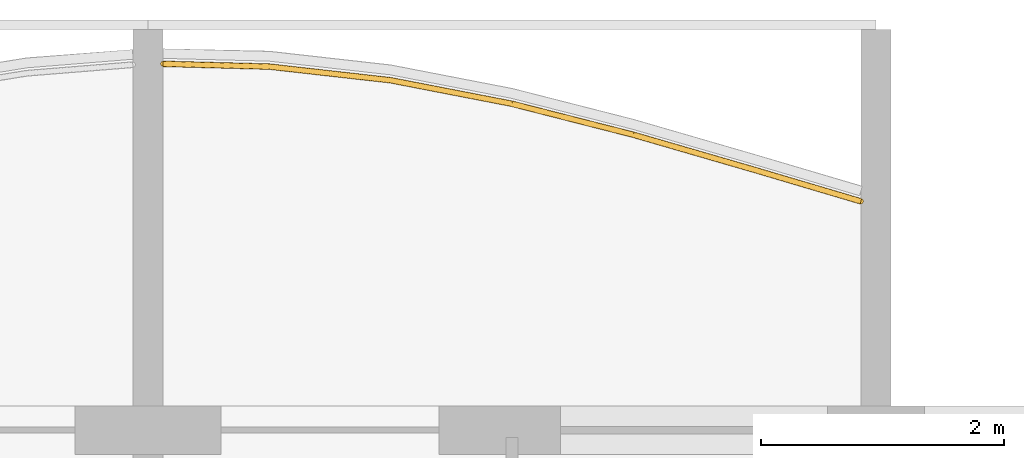
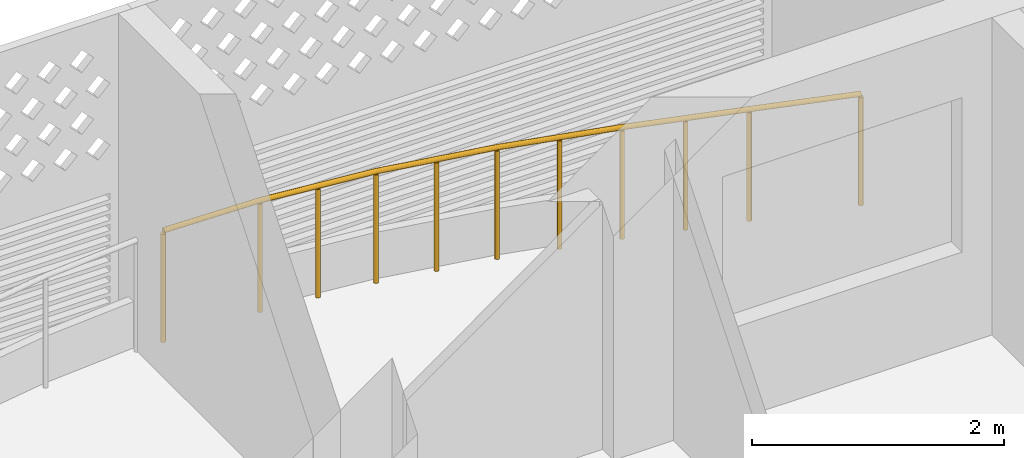
# One storey, part 20 of 27: 1 railing.
"""IFC4 building model written with IfcOpenShell, lengths in metres."""

from ifc_helpers import new_model, si_unit, direction, frame, origin, origin_2d, place, context, subcontext, project, spatial, circle, extrude, material, type_object, element, save


model = new_model("IFC4")

# Units and contexts
model_context = context("Model", 3, precision=1e-05, world=origin(), true_north=direction((0.0, 1.0)))
body_context = subcontext(model_context, "Body", "Model", "MODEL_VIEW")
ifc_project = project(units=[si_unit("LENGTHUNIT", "METRE"), si_unit("AREAUNIT", "SQUARE_METRE"), si_unit("VOLUMEUNIT", "CUBIC_METRE"), si_unit("PLANEANGLEUNIT", "RADIAN"), si_unit("MASSUNIT", "GRAM", prefix="KILO")], contexts=[model_context])

# Site, building, storey
site_placement = place(None, origin())
site = spatial("IfcSite", under=ifc_project, at=site_placement, CompositionType="ELEMENT")
building_placement = place(site_placement, origin())
building = spatial("IfcBuilding", under=site, at=building_placement, Name="Poui Terraces", CompositionType="ELEMENT")
storey_placement = place(building_placement, frame((0.0, 0.0, 204.89990234375)))
storey = spatial("IfcBuildingStorey", under=building, at=storey_placement, Name="L57", CompositionType="ELEMENT", Elevation=204.89990234375)

# Railing
ifc_material = material(Name="Painted steel fretwork", Category="steel")
railing_type = type_object("IfcRailingType", Name="BALCONY GUARD 1100", PredefinedType="GUARDRAIL", material=ifc_material)
railing_placement = place(storey_placement, frame((36.125, 44.21875, 0.0)))
element("IfcRailing", 1, at=railing_placement, inside=storey, type_object=railing_type, Name="BALCONY GUARD", PredefinedType="GUARDRAIL", context=body_context, shape_type="SweptSolid", body=[
    extrude(circle(Radius=0.02392578125, at=origin_2d()), frame((0.0, 0.0, 1.076171875), z_axis=(0.999663503425, -0.025939929079, 0.0), x_axis=(0.025939929079, 0.999663503425, 0.0)), (0.0, 0.0, 1.0), 0.875244140625),
    extrude(circle(Radius=0.02392578125, at=origin_2d()), frame((0.875, -0.022705078125, 1.076171875), z_axis=(0.993725924527, -0.111842688283, 0.0), x_axis=(0.111842688283, 0.993725924527, 0.0)), (0.0, 0.0, 1.0), 1.00634765625),
    extrude(circle(Radius=0.02392578125, at=origin_2d()), frame((1.875, -0.13525390625, 1.076171875), z_axis=(0.981724998512, -0.190305090044, 0.0), x_axis=(0.190305090044, 0.981724998512, 0.0)), (0.0, 0.0, 1.0), 1.0185546875),
    extrude(circle(Radius=0.02392578125, at=origin_2d()), frame((2.875, -0.3291015625, 1.076171875), z_axis=(0.968962333186, -0.247208407759, 0.0), x_axis=(0.247208407759, 0.968962333186, 0.0)), (0.0, 0.0, 1.0), 1.031982421875),
    extrude(circle(Radius=0.02392578125, at=origin_2d()), frame((3.875, -0.584228515625, 1.076171875), z_axis=(0.960481812677, -0.278342751867, 0.0), x_axis=(0.278342751867, 0.960481812677, 0.0)), (0.0, 0.0, 1.0), 1.041259765625),
    extrude(circle(Radius=0.02392578125, at=origin_2d()), frame((4.875, -0.8740234375, 1.076171875), z_axis=(0.958865561228, -0.283860591647, 0.0), x_axis=(0.283860591647, 0.958865561228, 0.0)), (0.0, 0.0, 1.0), 0.91259765625),
    extrude(circle(Radius=0.02099609375, at=origin_2d()), origin(), (0.0, 0.0, 1.0), 1.052001953125),
    extrude(circle(Radius=0.02099609375, at=origin_2d()), frame((0.875, -0.022705078125, 0.0)), (0.0, 0.0, 1.0), 1.052001953125),
    extrude(circle(Radius=0.02099609375, at=origin_2d()), frame((1.375, -0.0791015625, 0.0)), (0.0, 0.0, 1.0), 1.052001953125),
    extrude(circle(Radius=0.02099609375, at=origin_2d()), frame((1.875, -0.13525390625, 0.0)), (0.0, 0.0, 1.0), 1.052001953125),
    extrude(circle(Radius=0.02099609375, at=origin_2d()), frame((2.375, -0.232177734375, 0.0)), (0.0, 0.0, 1.0), 1.052001953125),
    extrude(circle(Radius=0.02099609375, at=origin_2d()), frame((2.875, -0.3291015625, 0.0)), (0.0, 0.0, 1.0), 1.052001953125),
    extrude(circle(Radius=0.02099609375, at=origin_2d()), frame((3.375, -0.45654296875, 0.0)), (0.0, 0.0, 1.0), 1.052001953125),
    extrude(circle(Radius=0.02099609375, at=origin_2d()), frame((3.875, -0.584228515625, 0.0)), (0.0, 0.0, 1.0), 1.052001953125),
    extrude(circle(Radius=0.02099609375, at=origin_2d()), frame((4.375, -0.72900390625, 0.0)), (0.0, 0.0, 1.0), 1.052001953125),
    extrude(circle(Radius=0.02099609375, at=origin_2d()), frame((4.875, -0.8740234375, 0.0)), (0.0, 0.0, 1.0), 1.052001953125),
    extrude(circle(Radius=0.02099609375, at=origin_2d()), frame((5.75, -1.133056640625, 0.0)), (0.0, 0.0, 1.0), 1.052001953125),
])

save(model, "model.ifc")
